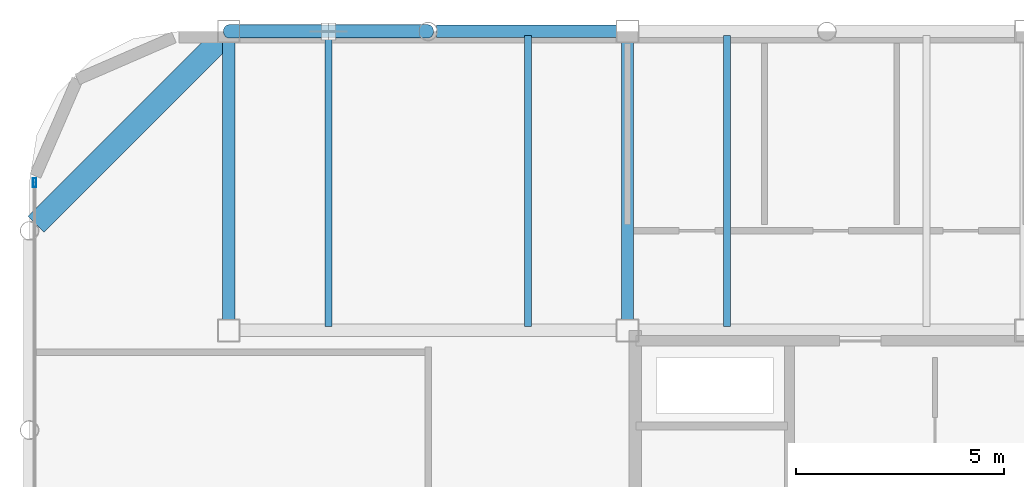
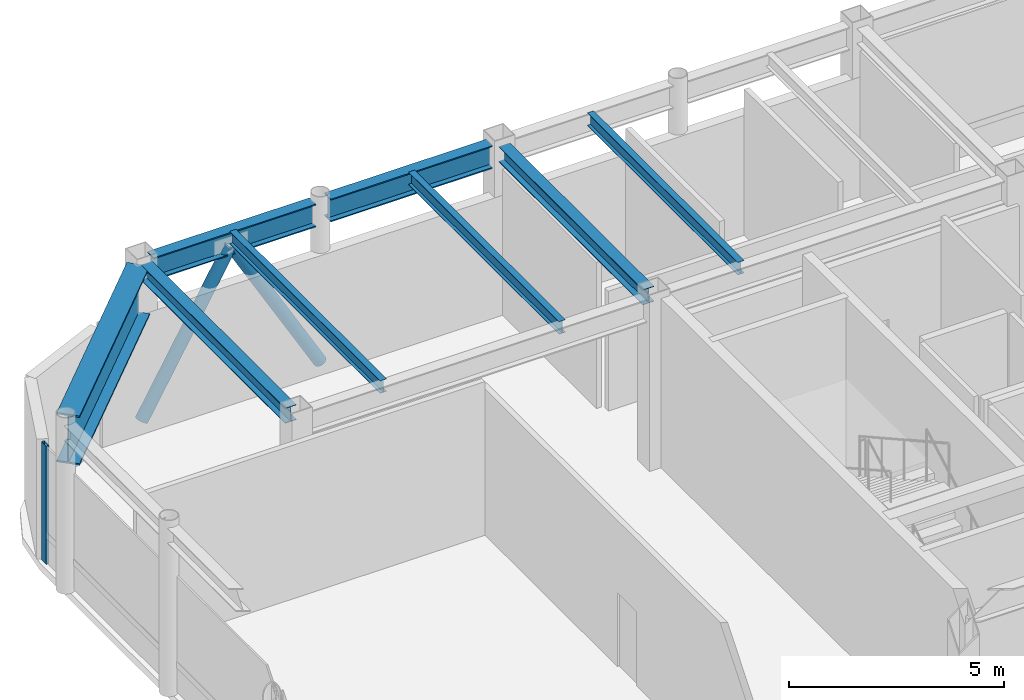
# One storey, part 12 of 21: 8 beams, 3 members, 1 element without a shape of its own.
"""IFC4 building model written with IfcOpenShell, lengths in metres."""

from ifc_helpers import new_model, si_unit, direction, frame, origin, origin_2d, place, context, subcontext, project, spatial, hollow_rectangle, hollow_circle, i_section, extrude, material, layer, layer_set, material_profile, profile_set, type_object, element, aggregate, save


model = new_model("IFC4")

# Units and contexts
model_context = context("Model", 3, precision=1e-05, world=origin(), true_north=direction((0.0, 1.0)))
body_context = subcontext(model_context, "Body", "Model", "MODEL_VIEW")
ifc_project = project(units=[si_unit("LENGTHUNIT", "METRE"), si_unit("AREAUNIT", "SQUARE_METRE"), si_unit("VOLUMEUNIT", "CUBIC_METRE"), si_unit("PLANEANGLEUNIT", "RADIAN"), si_unit("MASSUNIT", "GRAM", prefix="KILO")], contexts=[model_context])

# Site, building, storey
site_placement = place(None, origin())
site = spatial("IfcSite", under=ifc_project, at=site_placement, CompositionType="ELEMENT")
building_placement = place(site_placement, origin())
building = spatial("IfcBuilding", under=site, at=building_placement, Name="Kallvorn Hotel Tower", CompositionType="ELEMENT")
storey_placement = place(building_placement, frame((0.0, 0.0, 295.60009765625)))
storey = spatial("IfcBuildingStorey", under=building, at=storey_placement, Name="L73", CompositionType="ELEMENT", Elevation=295.60009765625)

# Beams
ifc_material_1 = material(Name="Structural steel S355JR", Category="steel")
ifc_material_profile_1 = material_profile(ifc_material_1, i_section(OverallWidth=0.300048828125, OverallDepth=0.43994140625, WebThickness=0.011474609375, FlangeThickness=0.02099609375, at=origin_2d()), Name="HE 450 A")
ifc_profile_set_1 = profile_set([ifc_material_profile_1], Name="Structural steel S355JR")
beam_type_1 = type_object("IfcBeamType", Name="BM_HE450A", PredefinedType="BEAM", material=ifc_profile_set_1)
for number, where, z_axis, x_axis, name in (
    (1, (-24.0, 7.449951171875, 4.579833984375), (0.0, 1.0, 0.0), (-1.0, 0.0, 0.0), "L74 Primary Y-Girder 33"),
    (2, (-14.39990234375, 7.449951171875, 4.579833984375), (0.0, 1.0, 0.0), (-1.0, 0.0, 0.0), "L74 Primary Y-Girder 36"),
):
    element("IfcBeam", number, at=place(storey_placement, frame(where, z_axis=z_axis, x_axis=x_axis)), inside=storey, type_object=beam_type_1, Name=name, PredefinedType="BEAM", context=body_context, shape_type="SweptSolid", body=[
        extrude(i_section(OverallWidth=0.300048828125, OverallDepth=0.43994140625, WebThickness=0.011474609375, FlangeThickness=0.02099609375, at=origin_2d()), origin(), (0.0, 0.0, 1.0), 6.699951171875),
    ])
ifc_material_2 = material(Name="Structural steel S355JR", Category="steel")
ifc_material_profile_2 = material_profile(ifc_material_2, i_section(OverallWidth=0.300048828125, OverallDepth=0.64990234375, WebThickness=0.01611328125, FlangeThickness=0.031005859375, at=origin_2d()), Name="HE 650 B")
ifc_profile_set_2 = profile_set([ifc_material_profile_2], Name="Structural steel S355JR")
beam_type_2 = type_object("IfcBeamType", Name="BM_HE650B", PredefinedType="BEAM", material=ifc_profile_set_2)
beam_1_placement = place(storey_placement, frame((-23.75, 14.39990234375, 4.474853515625), z_axis=(1.0, 0.0, 0.0), x_axis=(0.0, 1.0, 0.0)))
element("IfcBeam", 3, at=beam_1_placement, inside=storey, type_object=beam_type_2, Name="L74 Primary X-Girder 16", PredefinedType="BEAM", context=body_context, shape_type="SweptSolid", body=[
    extrude(i_section(OverallWidth=0.300048828125, OverallDepth=0.64990234375, WebThickness=0.01611328125, FlangeThickness=0.031005859375, at=origin_2d()), origin(), (0.0, 0.0, 1.0), 4.346435546875),
])
beam_2_placement = place(storey_placement, frame((-18.99658203125, 14.39990234375, 4.474853515625), z_axis=(1.0, 0.0, 0.0), x_axis=(0.0, 1.0, 0.0)))
element("IfcBeam", 4, at=beam_2_placement, inside=storey, type_object=beam_type_2, Name="L74 Primary X-Girder 17", PredefinedType="BEAM", context=body_context, shape_type="SweptSolid", body=[
    extrude(i_section(OverallWidth=0.300048828125, OverallDepth=0.64990234375, WebThickness=0.01611328125, FlangeThickness=0.031005859375, at=origin_2d()), origin(), (0.0, 0.0, 1.0), 4.3466796875),
])
ifc_material_3 = material(Name="Structural steel S355JR", Category="steel")
ifc_material_profile_3 = material_profile(ifc_material_3, i_section(OverallWidth=0.169921875, OverallDepth=0.360107421875, WebThickness=0.008056640625, FlangeThickness=0.0126953125, at=origin_2d()), Name="IPE 360")
ifc_profile_set_3 = profile_set([ifc_material_profile_3], Name="Structural steel S355JR")
beam_type_3 = type_object("IfcBeamType", Name="BM_IPE360", PredefinedType="JOIST", material=ifc_profile_set_3)
for number, where, z_axis, x_axis, name in (
    (5, (-21.60009765625, 7.300048828125, 4.619873046875), (0.0, 1.0, 0.0), (-1.0, 0.0, 0.0), "L74 Secondary Composite Joist 91"),
    (6, (-16.800048828125, 7.300048828125, 4.619873046875), (0.0, 1.0, 0.0), (-1.0, 0.0, 0.0), "L74 Secondary Composite Joist 93"),
    (7, (-12.0, 7.300048828125, 4.619873046875), (0.0, 1.0, 0.0), (-1.0, 0.0, 0.0), "L74 Secondary Composite Joist 95"),
):
    element("IfcBeam", number, at=place(storey_placement, frame(where, z_axis=z_axis, x_axis=x_axis)), inside=storey, type_object=beam_type_3, Name=name, PredefinedType="JOIST", context=body_context, shape_type="SweptSolid", body=[
        extrude(i_section(OverallWidth=0.169921875, OverallDepth=0.360107421875, WebThickness=0.008056640625, FlangeThickness=0.0126953125, at=origin_2d()), origin(), (0.0, 0.0, 1.0), 7.0),
    ])
ifc_material_4 = material(Name="Structural steel S355JR", Category="steel")
ifc_material_profile_4 = material_profile(ifc_material_4, i_section(OverallWidth=0.550048828125, OverallDepth=1.39990234375, WebThickness=0.02490234375, FlangeThickness=0.044921875, at=origin_2d()), Name="PG 1400x550x25x45")
ifc_profile_set_4 = profile_set([ifc_material_profile_4], Name="Structural steel S355JR")
beam_type_4 = type_object("IfcBeamType", Name="BM_PG_1400", PredefinedType="BEAM", material=ifc_profile_set_4)
beam_3_placement = place(storey_placement, frame((-28.6455078125, 9.75439453125, 4.099853515625), z_axis=(0.707087419273, 0.70712614257, 0.0), x_axis=(-0.70712614257, 0.707087419273, 0.0)))
element("IfcBeam", 8, at=beam_3_placement, inside=storey, type_object=beam_type_4, Name="L74 Rounded Corner Tie Beam 87", PredefinedType="BEAM", context=body_context, shape_type="SweptSolid", body=[
    extrude(i_section(OverallWidth=0.550048828125, OverallDepth=1.39990234375, WebThickness=0.02490234375, FlangeThickness=0.044921875, at=origin_2d()), origin(), (0.0, 0.0, 1.0), 6.3046875),
])

# Curtain wall, member
ifc_material_5 = material(Name="Thermally broken black-anodised aluminium AA 6063-T6", Category="aluminium")
ifc_layer = layer(ifc_material_5, 0.25)
ifc_layer_set = layer_set([ifc_layer], Name="CW_SYS_6_SUMMIT_OBS")
curtain_wall_type = type_object("IfcCurtainWallType", Name="CW_SYS_6_SUMMIT_OBS", PredefinedType="USERDEFINED", material=ifc_layer_set)
curtain_wall_placement = place(storey_placement, origin())
curtain_wall = element("IfcCurtainWall", 9, at=curtain_wall_placement, inside=storey, type_object=curtain_wall_type, Name="L73 Dark-Glass Curtain Wall CW-L73-WN", ObjectType="UNITISED CURTAIN WALL", PredefinedType="USERDEFINED")
ifc_material_6 = material(Name="Thermally broken black-anodised aluminium AA 6063-T6", Category="aluminium")
ifc_material_profile_5 = material_profile(ifc_material_6, hollow_rectangle(XDim=0.080078125, YDim=0.219970703125, WallThickness=0.0048828125, at=origin_2d()), Name="MUL 220x80")
ifc_profile_set_5 = profile_set([ifc_material_profile_5], Name="Thermally broken black-anodised aluminium AA 6063-T6")
member_type_1 = type_object("IfcMemberType", Name="CW_MULLION_220x80", PredefinedType="MULLION", material=ifc_profile_set_5)
member_1_placement = place(storey_placement, frame((-28.679931640625, 10.760009765625, 0.02001953125), z_axis=(0.0, 0.0, 1.0), x_axis=(1.0, 0.0, 0.0)))
member_1 = element("IfcMember", 10, at=member_1_placement, type_object=member_type_1, Name="CW-L73-WN Mullion 01", PredefinedType="MULLION", context=body_context, shape_type="SweptSolid", body=[
    extrude(hollow_rectangle(XDim=0.080078125, YDim=0.219970703125, WallThickness=0.0048828125, at=origin_2d()), origin(), (0.0, 0.0, 1.0), 3.35986328125),
])
aggregate(curtain_wall, [member_1])

# Members
ifc_material_7 = material(Name="Structural steel S355J2H", Category="steel")
ifc_material_profile_6 = material_profile(ifc_material_7, hollow_circle(Radius=0.161865234375, WallThickness=0.012451171875, at=origin_2d()), Name="CHS 323.9x12.5")
ifc_profile_set_6 = profile_set([ifc_material_profile_6], Name="Structural steel S355J2H")
member_type_2 = type_object("IfcMemberType", Name="MBR_EXO_CHS323", PredefinedType="BRACE", material=ifc_profile_set_6)
member_2_placement = place(storey_placement, frame((-23.989990234375, 14.39990234375, 0.197265625), z_axis=(0.499712098434, 0.0, 0.866191560037), x_axis=(0.0, 1.0, 0.0)))
element("IfcMember", 11, at=member_2_placement, inside=storey, type_object=member_type_2, Name="L73 Exoskeleton K-Brace N1A", PredefinedType="BRACE", context=body_context, shape_type="SweptSolid", body=[
    extrude(hollow_circle(Radius=0.161865234375, WallThickness=0.012451171875, at=origin_2d()), origin(), (0.0, 0.0, 1.0), 4.762451171875),
])
member_3_placement = place(storey_placement, frame((-19.2099609375, 14.39990234375, 0.197265625), z_axis=(-0.499750558989, 0.0, 0.866169370729), x_axis=(0.0, -1.0, 0.0)))
element("IfcMember", 12, at=member_3_placement, inside=storey, type_object=member_type_2, Name="L73 Exoskeleton K-Brace N1B", PredefinedType="BRACE", context=body_context, shape_type="SweptSolid", body=[
    extrude(hollow_circle(Radius=0.161865234375, WallThickness=0.012451171875, at=origin_2d()), origin(), (0.0, 0.0, 1.0), 4.7626953125),
])

save(model, "model.ifc")
